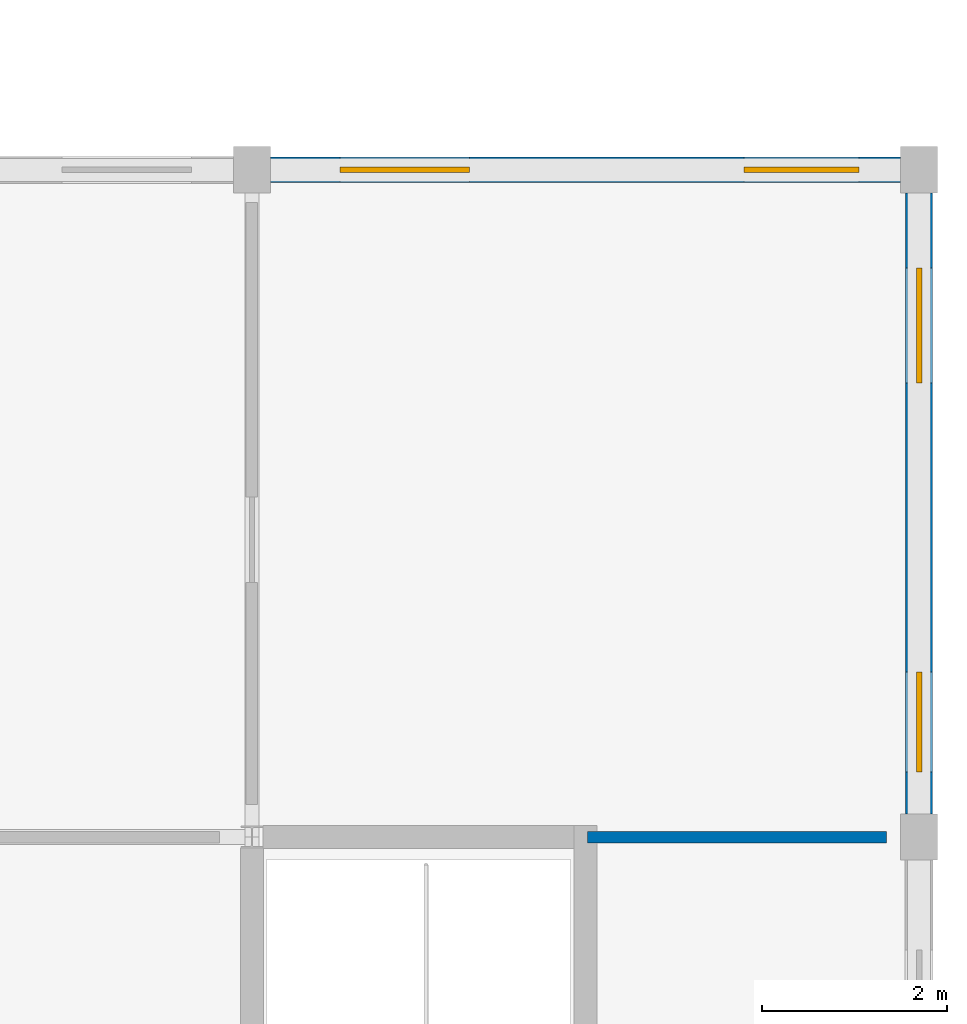
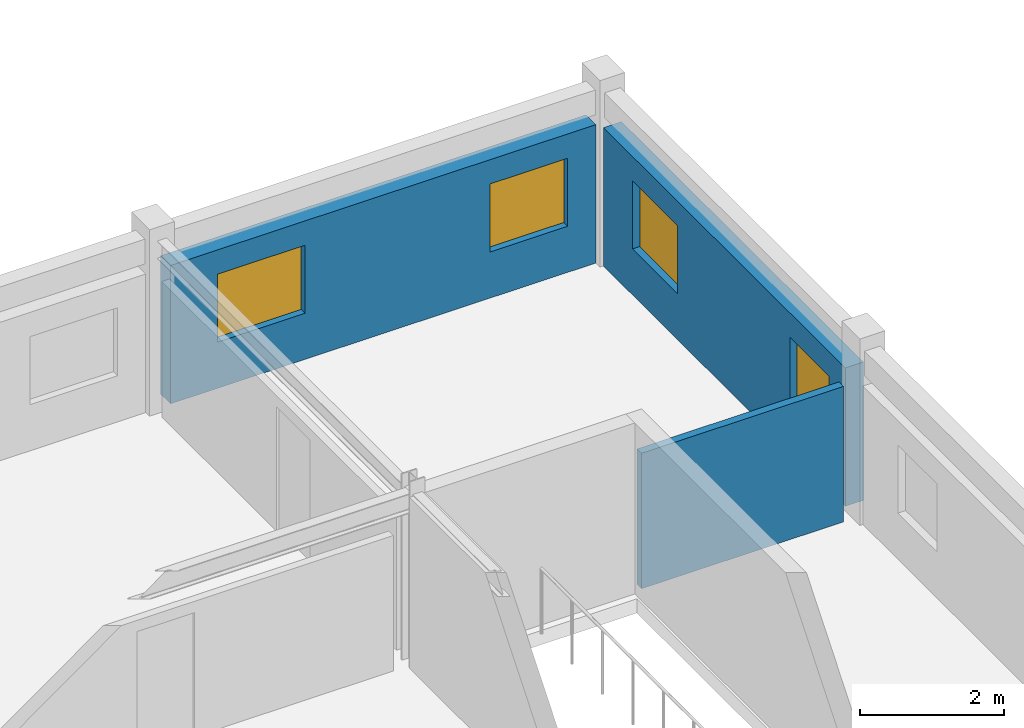
# One storey, part 24 of 50: 4 windows, 3 walls, 4 openings.
"""IFC4 building model written with IfcOpenShell, lengths in metres."""

import ifcopenshell
import ifcopenshell.guid

model = None  # the IFC model being written
_history = None  # IfcOwnerHistory: only IFC2X3 demands one
_inside = {}  # id of a spatial element -> (the spatial element, [elements in it])
_under = {}  # id of a project, library or spatial element -> (it, [spatial elements below it])
_declared = {}  # id of a project -> (the project, [libraries it declares])
_typed = {}  # id of a type object -> (the type object, [elements of that type])
_made_of = {}  # id of a material, layer set ... -> (it, [elements and type objects made of it])


def new_model(schema):
    """Start an empty IFC model of exactly this schema.

    Asked for "IFC4X3", IfcOpenShell would pick the latest addendum, in which some entities
    have other attributes; the version numbers below select the first issue.
    IFC2X3 requires an IfcOwnerHistory on every rooted entity: one is made here for all.
    """
    global model, _history
    if schema == "IFC4X3":
        model = ifcopenshell.file(schema_version=(4, 3, 0, 0))
    else:
        model = ifcopenshell.file(schema=schema)
    _inside.clear()
    _under.clear()
    _declared.clear()
    _typed.clear()
    _made_of.clear()
    _history = None
    if model.schema == "IFC2X3":
        org = make("IfcOrganization", Name="unknown")
        user = make(
            "IfcPersonAndOrganization",
            ThePerson=make("IfcPerson", FamilyName="unknown"),
            TheOrganization=org,
        )
        app = make(
            "IfcApplication",
            ApplicationDeveloper=org,
            Version="unknown",
            ApplicationFullName="unknown",
            ApplicationIdentifier="unknown",
        )
        _history = make(
            "IfcOwnerHistory",
            OwningUser=user,
            OwningApplication=app,
            ChangeAction="ADDED",
            CreationDate=0,
        )
    return model


def make(cls, **values):
    """One entity of the class cls with the attributes given. An attribute that is None is left unset."""
    return model.create_entity(
        cls, **{name: value for name, value in values.items() if value is not None}
    )


def rooted(cls, **values):
    """An entity with a GlobalId (a new one), such as an element, a storey or a relation."""
    return make(cls, GlobalId=ifcopenshell.guid.new(), OwnerHistory=_history, **values)


def si_unit(unit_type, name, prefix=None):
    """IfcSIUnit, for example si_unit("LENGTHUNIT", "METRE", prefix="MILLI")."""
    return make("IfcSIUnit", UnitType=unit_type, Prefix=prefix, Name=name)


def assignment(units):
    """IfcUnitAssignment: the units of a project."""
    return None if units is None else make("IfcUnitAssignment", Units=units)


def point(xyz):
    """IfcCartesianPoint."""
    return None if xyz is None else make("IfcCartesianPoint", Coordinates=xyz)


def direction(xyz):
    """IfcDirection."""
    return None if xyz is None else make("IfcDirection", DirectionRatios=xyz)


def frame(location, z_axis=None, x_axis=None):
    """IfcAxis2Placement3D, a coordinate frame: its origin and axes. An axis left out is left unset."""
    return make(
        "IfcAxis2Placement3D",
        Location=point(location),
        Axis=direction(z_axis),
        RefDirection=direction(x_axis),
    )


def frame_2d(location, x_axis=None):
    """IfcAxis2Placement2D, a coordinate frame in the plane: its origin and x axis."""
    return make(
        "IfcAxis2Placement2D", Location=point(location), RefDirection=direction(x_axis)
    )


def origin():
    """The frame at (0, 0, 0) with its axes left unset."""
    return frame((0.0, 0.0, 0.0))


def place(relative_to, where):
    """IfcLocalPlacement: puts the frame where relative to a parent placement (None: the world)."""
    return make(
        "IfcLocalPlacement", PlacementRelTo=relative_to, RelativePlacement=where
    )


def context(
    kind, dimensions, precision=None, world=None, true_north=None, identifier=None
):
    """IfcGeometricRepresentationContext, for example the 3D "Model" context."""
    return make(
        "IfcGeometricRepresentationContext",
        ContextIdentifier=identifier,
        ContextType=kind,
        CoordinateSpaceDimension=dimensions,
        Precision=precision,
        WorldCoordinateSystem=world,
        TrueNorth=true_north,
    )


def subcontext(parent, identifier, kind, view, scale=None):
    """IfcGeometricRepresentationSubContext, for example "Body" below "Model"."""
    return make(
        "IfcGeometricRepresentationSubContext",
        ContextIdentifier=identifier,
        ContextType=kind,
        ParentContext=parent,
        TargetScale=scale,
        TargetView=view,
    )


def project(units=None, contexts=None):
    """IfcProject with its units and contexts."""
    return rooted(
        "IfcProject",
        Name="project",
        RepresentationContexts=contexts,
        UnitsInContext=assignment(units),
    )


def spatial(cls, under=None, at=None, **own):
    """A site, building, storey or space (cls), placed at a placement, below another one or the project."""
    s = rooted(cls, ObjectPlacement=at, **own)
    if under is not None:
        _under.setdefault(under.id(), (under, []))[1].append(s)
    return s


def profile(cls, at=None, kind="AREA", **sizes):
    """A parametric profile (cls). Its sizes go by their IFC names, for example OverallWidth=200.0."""
    return make(cls, ProfileType=kind, Position=at, **sizes)


def rectangle(**sizes):
    """IfcRectangleProfileDef."""
    return profile("IfcRectangleProfileDef", **sizes)


def extrude(swept, where, along, depth):
    """IfcExtrudedAreaSolid: the profile swept, set in the frame where, extruded along a direction by depth."""
    return make(
        "IfcExtrudedAreaSolid",
        SweptArea=swept,
        Position=where,
        ExtrudedDirection=direction(along),
        Depth=depth,
    )


def shape(context_of_items, identifier, shape_type, items):
    """IfcShapeRepresentation: the items that make up one representation, for example the "Body"."""
    return make(
        "IfcShapeRepresentation",
        ContextOfItems=context_of_items,
        RepresentationIdentifier=identifier,
        RepresentationType=shape_type,
        Items=items,
    )


def material(Name=None, Category=None):
    """IfcMaterial."""
    return make("IfcMaterial", Name=Name, Category=Category)


def layer(
    of_material, thickness, ventilated=None, Name=None, Category=None, Priority=None
):
    """IfcMaterialLayer: one layer of a wall or slab, of a material (None: an air gap)."""
    return make(
        "IfcMaterialLayer",
        Material=of_material,
        LayerThickness=thickness,
        IsVentilated=ventilated,
        Name=Name,
        Category=Category,
        Priority=Priority,
    )


def layer_set(layers, Name=None):
    """IfcMaterialLayerSet."""
    return make("IfcMaterialLayerSet", MaterialLayers=layers, LayerSetName=Name)


def made_of(thing, what):
    """Note that an element or type object is made of a material, layer set ...; save() writes the relation."""
    if what is not None:
        _made_of.setdefault(what.id(), (what, []))[1].append(thing)
    return thing


def type_object(cls, material=None, **own):
    """A type object (cls), such as IfcWallType, which elements share."""
    return made_of(rooted(cls, **own), material)


def element(
    cls,
    number,
    at=None,
    inside=None,
    cuts=None,
    type_object=None,
    material=None,
    context=None,
    identifier="Body",
    shape_type=None,
    held_by="IfcProductDefinitionShape",
    body=None,
    shapes=None,
    **own,
):
    """One element of the class cls, such as IfcWall. Its Tag is "e" and its number.

    at: its placement. inside: the storey or other place that contains it. cuts: it is an
    opening in that element (IfcRelVoidsElement). A single representation is given by context,
    identifier, shape_type and body (its items); several are given by shapes. held_by: the class
    of the entity that holds the representations. save() writes the other relations.
    """
    e = rooted(cls, Tag="e%d" % number, ObjectPlacement=at, **own)
    if body is not None:
        shapes = [shape(context, identifier, shape_type, body)]
    if shapes is not None:
        e.Representation = make(held_by, Representations=shapes)
    if inside is not None:
        _inside.setdefault(inside.id(), (inside, []))[1].append(e)
    if cuts is not None:
        rooted(
            "IfcRelVoidsElement", RelatingBuildingElement=cuts, RelatedOpeningElement=e
        )
    if type_object is not None:
        _typed.setdefault(type_object.id(), (type_object, []))[1].append(e)
    return made_of(e, material)


def fill(opening, filler):
    """IfcRelFillsElement: the door or window that sits in an opening."""
    return rooted(
        "IfcRelFillsElement",
        RelatingOpeningElement=opening,
        RelatedBuildingElement=filler,
    )


def aggregate(whole, parts):
    """IfcRelAggregates: a whole, such as a stair, and the parts it consists of."""
    return rooted("IfcRelAggregates", RelatingObject=whole, RelatedObjects=parts)


def save(model, path):
    """Write the relations noted so far, then the file.

    IfcRelAggregates (storeys below a building ...), IfcRelContainedInSpatialStructure (elements
    in a storey), IfcRelDefinesByType, IfcRelAssociatesMaterial and IfcRelDeclares: one each for
    every whole, place, type object, material and project.
    """
    for whole, parts in _under.values():
        aggregate(whole, parts)
    for where, things in _inside.values():
        rooted(
            "IfcRelContainedInSpatialStructure",
            RelatedElements=things,
            RelatingStructure=where,
        )
    for kind, things in _typed.values():
        rooted("IfcRelDefinesByType", RelatedObjects=things, RelatingType=kind)
    for what, things in _made_of.values():
        rooted("IfcRelAssociatesMaterial", RelatedObjects=things, RelatingMaterial=what)
    for by, libraries in _declared.values():
        rooted("IfcRelDeclares", RelatingContext=by, RelatedDefinitions=libraries)
    model.write(path)


model = new_model("IFC4")

# Units and contexts
model_context = context("Model", 3, precision=1e-05, world=origin(), true_north=direction((0.0, 1.0)))
body_context = subcontext(model_context, "Body", "Model", "MODEL_VIEW")
ifc_project = project(units=[si_unit("LENGTHUNIT", "METRE"), si_unit("AREAUNIT", "SQUARE_METRE"), si_unit("VOLUMEUNIT", "CUBIC_METRE"), si_unit("PLANEANGLEUNIT", "RADIAN"), si_unit("MASSUNIT", "GRAM", prefix="KILO"), si_unit("THERMODYNAMICTEMPERATUREUNIT", "KELVIN"), si_unit("POWERUNIT", "WATT")], contexts=[model_context])

# Site, building, storey
site_placement = place(None, origin())
site = spatial("IfcSite", under=ifc_project, at=site_placement, CompositionType="ELEMENT")
building_placement = place(site_placement, origin())
building = spatial("IfcBuilding", under=site, at=building_placement, Name="Tavuni Mirador Residences", CompositionType="ELEMENT")
storey_placement = place(building_placement, frame((0.0, 0.0, 4.5)))
storey = spatial("IfcBuildingStorey", under=building, at=storey_placement, Name="L01", CompositionType="ELEMENT", Elevation=4.5)

# Wall, openings, windows
ifc_material_1 = material(Name="Sgraffito lime-rendered precast concrete C40/50", Category="concrete")
ifc_layer_1 = layer(ifc_material_1, 0.27490234375, Name="Sgraffito lime-rendered precast concrete C40/50", Category="concrete")
ifc_layer_set_1 = layer_set([ifc_layer_1], Name="Sgraffito lime-rendered precast concrete C40/50")
wall_type_1 = type_object("IfcWallType", Name="WT-EXT-PC275", PredefinedType="SOLIDWALL", material=ifc_layer_set_1)
wall_1_placement = place(storey_placement, frame((118.60009765625, 64.800048828125, 0.0), z_axis=(0.0, 0.0, 1.0), x_axis=(-1.0, 0.0, 0.0)))
wall_1 = element("IfcWall", 1, at=wall_1_placement, inside=storey, type_object=wall_type_1, Name="EW-PAV-NURS-L01-N03", PredefinedType="SOLIDWALL", context=body_context, shape_type="SweptSolid", body=[
    extrude(rectangle(XDim=6.800048828125, YDim=0.27490234375, at=frame_2d((3.39990234375, 0.0))), origin(), (0.0, 0.0, 1.0), 2.340087890625),
])
opening_1_placement = place(wall_1_placement, frame((0.449951171875, 0.0, 0.780029296875)))
opening_1 = element("IfcOpeningElement", 2, at=opening_1_placement, cuts=wall_1, Name="Opening WN-06", PredefinedType="OPENING", context=body_context, shape_type="SweptSolid", body=[
    extrude(rectangle(XDim=1.239990234375, YDim=1.14990234375, at=frame_2d((0.6201171875, 0.574951171875))), frame((0.0, 0.1474609375, 0.0), z_axis=(0.0, -1.0, 0.0), x_axis=(1.0, 0.0, 0.0)), (0.0, 0.0, 1.0), 0.294921875),
])
opening_2_placement = place(wall_1_placement, frame((4.64990234375, 0.0, 0.780029296875)))
opening_2 = element("IfcOpeningElement", 3, at=opening_2_placement, cuts=wall_1, Name="Opening WN-08", PredefinedType="OPENING", context=body_context, shape_type="SweptSolid", body=[
    extrude(rectangle(XDim=1.39990234375, YDim=1.14990234375, at=frame_2d((0.699951171875, 0.574951171875))), frame((0.0, 0.1474609375, 0.0), z_axis=(0.0, -1.0, 0.0), x_axis=(1.0, 0.0, 0.0)), (0.0, 0.0, 1.0), 0.294921875),
])
ifc_material_2 = material(Name="Laminated solar-control glass", Category="glass")
window_type_1 = type_object("IfcWindowType", Name="WNT-06", PartitioningType="SINGLE_PANEL", PredefinedType="WINDOW", material=ifc_material_2)
window_1_placement = place(opening_1_placement, origin())
window_1 = element("IfcWindow", 4, at=window_1_placement, inside=storey, type_object=window_type_1, Name="WIN-1864", OverallHeight=1.14990234375, OverallWidth=1.239990234375, PartitioningType="SINGLE_PANEL", PredefinedType="WINDOW", context=body_context, shape_type="SweptSolid", body=[
    extrude(rectangle(XDim=1.239990234375, YDim=1.14990234375, at=frame_2d((0.6201171875, 0.574951171875))), frame((0.0, 0.030029296875, 0.0), z_axis=(0.0, -1.0, 0.0), x_axis=(1.0, 0.0, 0.0)), (0.0, 0.0, 1.0), 0.06005859375),
])
fill(opening_1, window_1)
window_type_2 = type_object("IfcWindowType", Name="WNT-08", PartitioningType="SINGLE_PANEL", PredefinedType="WINDOW", material=ifc_material_2)
window_2_placement = place(opening_2_placement, origin())
window_2 = element("IfcWindow", 5, at=window_2_placement, inside=storey, type_object=window_type_2, Name="WIN-1865", OverallHeight=1.14990234375, OverallWidth=1.39990234375, PartitioningType="SINGLE_PANEL", PredefinedType="WINDOW", context=body_context, shape_type="SweptSolid", body=[
    extrude(rectangle(XDim=1.39990234375, YDim=1.14990234375, at=frame_2d((0.699951171875, 0.574951171875))), frame((0.0, 0.030029296875, 0.0), z_axis=(0.0, -1.0, 0.0), x_axis=(1.0, 0.0, 0.0)), (0.0, 0.0, 1.0), 0.06005859375),
])
fill(opening_2, window_2)

ifc_layer_2 = layer(ifc_material_1, 0.2900390625, Name="Sgraffito lime-rendered precast concrete C40/50", Category="concrete")
ifc_layer_set_2 = layer_set([ifc_layer_2], Name="Sgraffito lime-rendered precast concrete C40/50")
wall_type_2 = type_object("IfcWallType", Name="WT-EXT-PC290", PredefinedType="SOLIDWALL", material=ifc_layer_set_2)
wall_2_placement = place(storey_placement, frame((118.800048828125, 57.85009765625, 0.0), z_axis=(0.0, 0.0, 1.0), x_axis=(0.0, 1.0, 0.0)))
wall_2 = element("IfcWall", 6, at=wall_2_placement, inside=storey, type_object=wall_type_2, Name="EW-PAV-NURS-L01-E02", PredefinedType="SOLIDWALL", context=body_context, shape_type="SweptSolid", body=[
    extrude(rectangle(XDim=6.699951171875, YDim=0.2900390625, at=frame_2d((3.35009765625, 0.0))), origin(), (0.0, 0.0, 1.0), 2.340087890625),
])
opening_3_placement = place(wall_2_placement, frame((0.449951171875, 0.0, 0.780029296875)))
opening_3 = element("IfcOpeningElement", 7, at=opening_3_placement, cuts=wall_2, Name="Opening WN-04", PredefinedType="OPENING", context=body_context, shape_type="SweptSolid", body=[
    extrude(rectangle(XDim=1.080078125, YDim=1.14990234375, at=frame_2d((0.5400390625, 0.574951171875))), frame((0.0, 0.155029296875, 0.0), z_axis=(0.0, -1.0, 0.0), x_axis=(1.0, 0.0, 0.0)), (0.0, 0.0, 1.0), 0.31005859375),
])
opening_4_placement = place(wall_2_placement, frame((4.64990234375, 0.0, 0.780029296875)))
opening_4 = element("IfcOpeningElement", 8, at=opening_4_placement, cuts=wall_2, Name="Opening WN-06", PredefinedType="OPENING", context=body_context, shape_type="SweptSolid", body=[
    extrude(rectangle(XDim=1.239990234375, YDim=1.14990234375, at=frame_2d((0.6201171875, 0.574951171875))), frame((0.0, 0.155029296875, 0.0), z_axis=(0.0, -1.0, 0.0), x_axis=(1.0, 0.0, 0.0)), (0.0, 0.0, 1.0), 0.31005859375),
])
window_type_3 = type_object("IfcWindowType", Name="WNT-04", PartitioningType="SINGLE_PANEL", PredefinedType="WINDOW", material=ifc_material_2)
window_3_placement = place(opening_3_placement, origin())
window_3 = element("IfcWindow", 9, at=window_3_placement, inside=storey, type_object=window_type_3, Name="WIN-1862", OverallHeight=1.14990234375, OverallWidth=1.080078125, PartitioningType="SINGLE_PANEL", PredefinedType="WINDOW", context=body_context, shape_type="SweptSolid", body=[
    extrude(rectangle(XDim=1.080078125, YDim=1.14990234375, at=frame_2d((0.5400390625, 0.574951171875))), frame((0.0, 0.030029296875, 0.0), z_axis=(0.0, -1.0, 0.0), x_axis=(1.0, 0.0, 0.0)), (0.0, 0.0, 1.0), 0.06005859375),
])
fill(opening_3, window_3)
window_4_placement = place(opening_4_placement, origin())
window_4 = element("IfcWindow", 10, at=window_4_placement, inside=storey, type_object=window_type_1, Name="WIN-1863", OverallHeight=1.14990234375, OverallWidth=1.239990234375, PartitioningType="SINGLE_PANEL", PredefinedType="WINDOW", context=body_context, shape_type="SweptSolid", body=[
    extrude(rectangle(XDim=1.239990234375, YDim=1.14990234375, at=frame_2d((0.6201171875, 0.574951171875))), frame((0.0, 0.030029296875, 0.0), z_axis=(0.0, -1.0, 0.0), x_axis=(1.0, 0.0, 0.0)), (0.0, 0.0, 1.0), 0.06005859375),
])
fill(opening_4, window_4)

# Wall
ifc_material_3 = material(Name="Acoustic gypsum and concrete block partition", Category="concrete")
ifc_layer_3 = layer(ifc_material_3, 0.125, Name="Acoustic gypsum and concrete block partition", Category="concrete")
ifc_layer_set_3 = layer_set([ifc_layer_3], Name="Acoustic gypsum and concrete block partition")
wall_type_3 = type_object("IfcWallType", Name="WT-PART125", PredefinedType="PARTITIONING", material=ifc_layer_set_3)
wall_3_placement = place(storey_placement, frame((115.219970703125, 57.60009765625, 0.0), z_axis=(0.0, 0.0, 1.0), x_axis=(1.0, 0.0, 0.0)))
element("IfcWall", 11, at=wall_3_placement, inside=storey, type_object=wall_type_3, Name="PW-NURS-L01-N3", PredefinedType="PARTITIONING", context=body_context, shape_type="SweptSolid", body=[
    extrude(rectangle(XDim=3.22998046875, YDim=0.125, at=frame_2d((1.614990234375, 0.0))), origin(), (0.0, 0.0, 1.0), 2.2900390625),
])

save(model, "model.ifc")
